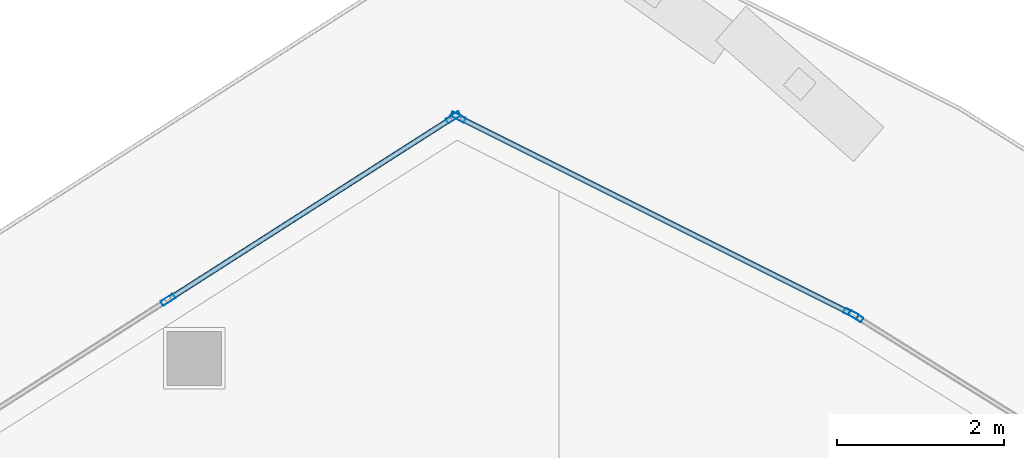
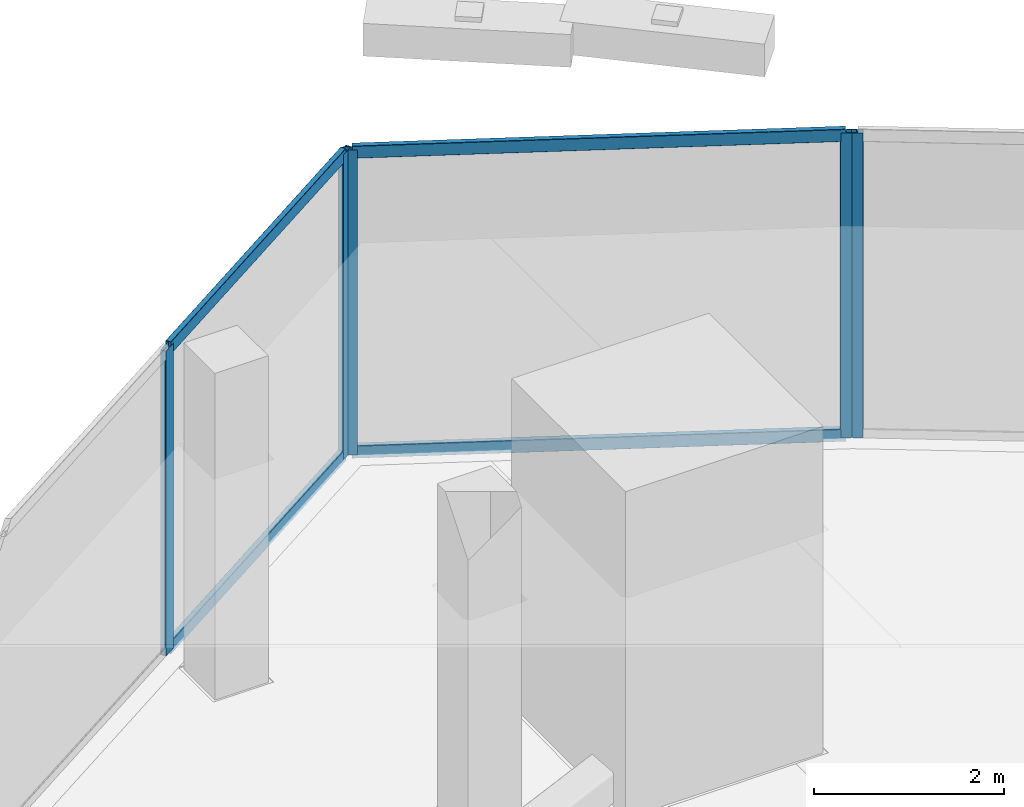
# One storey, part 26 of 45: 9 members, 3 elements without a shape of their own.
"""IFC4 building model written with IfcOpenShell, lengths in metres."""

from ifc_helpers import new_model, si_unit, direction, frame, origin, origin_2d, place, context, subcontext, project, spatial, hollow_rectangle, extrude, material, layer, layer_set, material_profile, profile_set, type_object, element, aggregate, save


model = new_model("IFC4")

# Units and contexts
model_context = context("Model", 3, precision=1e-05, world=origin(), true_north=direction((0.0, 1.0)))
body_context = subcontext(model_context, "Body", "Model", "MODEL_VIEW")
ifc_project = project(units=[si_unit("LENGTHUNIT", "METRE"), si_unit("AREAUNIT", "SQUARE_METRE"), si_unit("VOLUMEUNIT", "CUBIC_METRE"), si_unit("PLANEANGLEUNIT", "RADIAN"), si_unit("MASSUNIT", "GRAM", prefix="KILO")], contexts=[model_context])

# Site, building, storey
site_placement = place(None, origin())
site = spatial("IfcSite", under=ifc_project, at=site_placement, CompositionType="ELEMENT")
building_placement = place(site_placement, origin())
building = spatial("IfcBuilding", under=site, at=building_placement, Name="Qorvath Tower", CompositionType="ELEMENT")
storey_placement = place(building_placement, frame((0.0, 0.0, 49.199951171875)))
storey = spatial("IfcBuildingStorey", under=building, at=storey_placement, Name="L10", CompositionType="ELEMENT", Elevation=49.199951171875)

# Curtain wall, member
ifc_material_1 = material(Name="Anodised aluminium and triple low-E glass", Category="aluminium")
ifc_layer = layer(ifc_material_1, 0.179931640625)
ifc_layer_set = layer_set([ifc_layer], Name="CW-SYS-2")
curtain_wall_type = type_object("IfcCurtainWallType", Name="CW-SYS-2", PredefinedType="NOTDEFINED", material=ifc_layer_set)
curtain_wall_1_placement = place(storey_placement, origin())
curtain_wall_1 = element("IfcCurtainWall", 1, at=curtain_wall_1_placement, inside=storey, type_object=curtain_wall_type, Name="Curtain Wall CW-2 CW-T-L10-14.1", PredefinedType="NOTDEFINED")
ifc_material_2 = material(Name="Anodised aluminium 6063-T6", Category="aluminium")
ifc_material_profile_1 = material_profile(ifc_material_2, hollow_rectangle(XDim=0.06494140625, YDim=0.179931640625, WallThickness=0.00341796875, InnerFilletRadius=0.00341796875, OuterFilletRadius=0.007080078125, at=origin_2d()), Name="CWM 180x65")
ifc_profile_set_1 = profile_set([ifc_material_profile_1], Name="Anodised aluminium 6063-T6")
member_type_1 = type_object("IfcMemberType", Name="CWM-180", PredefinedType="MULLION", material=ifc_profile_set_1)
member_1_placement = place(storey_placement, frame((-10.06396484375, 31.00439453125, 0.0), z_axis=(0.0, 0.0, 1.0), x_axis=(-0.529724040691, -0.848170054125, 0.0)))
member_1 = element("IfcMember", 2, at=member_1_placement, type_object=member_type_1, Name="CW-2 mullion 3", PredefinedType="MULLION", context=body_context, shape_type="SweptSolid", body=[
    extrude(hollow_rectangle(XDim=0.06494140625, YDim=0.179931640625, WallThickness=0.00341796875, InnerFilletRadius=0.00341796875, OuterFilletRadius=0.007080078125, at=origin_2d()), origin(), (0.0, 0.0, 1.0), 3.920166015625),
])
aggregate(curtain_wall_1, [member_1])

# Curtain wall, members
curtain_wall_2_placement = place(storey_placement, origin())
curtain_wall_2 = element("IfcCurtainWall", 3, at=curtain_wall_2_placement, inside=storey, type_object=curtain_wall_type, Name="Curtain Wall CW-2 CW-T-L10-15.1", PredefinedType="NOTDEFINED")
member_2_placement = place(storey_placement, frame((-10.12060546875, 31.0361328125, 0.0), z_axis=(0.0, 0.0, 1.0), x_axis=(-0.447258573792, -0.89440470044, 0.0)))
member_2 = element("IfcMember", 4, at=member_2_placement, type_object=member_type_1, Name="CW-2 mullion 1", PredefinedType="MULLION", context=body_context, shape_type="SweptSolid", body=[
    extrude(hollow_rectangle(XDim=0.06494140625, YDim=0.179931640625, WallThickness=0.00341796875, InnerFilletRadius=0.00341796875, OuterFilletRadius=0.007080078125, at=origin_2d()), origin(), (0.0, 0.0, 1.0), 3.920166015625),
])
member_3_placement = place(storey_placement, frame((-14.8349609375, 33.3935546875, 0.0), z_axis=(0.0, 0.0, 1.0), x_axis=(-0.447258573792, -0.89440470044, 0.0)))
member_3 = element("IfcMember", 5, at=member_3_placement, type_object=member_type_1, Name="CW-2 mullion 2", PredefinedType="MULLION", context=body_context, shape_type="SweptSolid", body=[
    extrude(hollow_rectangle(XDim=0.06494140625, YDim=0.179931640625, WallThickness=0.00341796875, InnerFilletRadius=0.00341796875, OuterFilletRadius=0.007080078125, at=origin_2d()), origin(), (0.0, 0.0, 1.0), 3.920166015625),
])

curtain_wall_3_placement = place(storey_placement, origin())
curtain_wall_3 = element("IfcCurtainWall", 6, at=curtain_wall_3_placement, inside=storey, type_object=curtain_wall_type, Name="Curtain Wall CW-2 CW-T-L10-16.1", PredefinedType="NOTDEFINED")
member_4_placement = place(storey_placement, frame((-14.891357421875, 33.390380859375, 0.0), z_axis=(0.0, 0.0, 1.0), x_axis=(0.538532896531, -0.842604485719, 0.0)))
member_4 = element("IfcMember", 7, at=member_4_placement, type_object=member_type_1, Name="CW-2 mullion 1", PredefinedType="MULLION", context=body_context, shape_type="SweptSolid", body=[
    extrude(hollow_rectangle(XDim=0.06494140625, YDim=0.179931640625, WallThickness=0.00341796875, InnerFilletRadius=0.00341796875, OuterFilletRadius=0.007080078125, at=origin_2d()), origin(), (0.0, 0.0, 1.0), 3.920166015625),
])
member_5_placement = place(storey_placement, frame((-18.3125, 31.203857421875, 0.0), z_axis=(0.0, 0.0, 1.0), x_axis=(0.538532896531, -0.842604485719, 0.0)))
member_5 = element("IfcMember", 8, at=member_5_placement, type_object=member_type_1, Name="CW-2 mullion 2", PredefinedType="MULLION", context=body_context, shape_type="SweptSolid", body=[
    extrude(hollow_rectangle(XDim=0.06494140625, YDim=0.179931640625, WallThickness=0.00341796875, InnerFilletRadius=0.00341796875, OuterFilletRadius=0.007080078125, at=origin_2d()), origin(), (0.0, 0.0, 1.0), 3.920166015625),
])

# Member
ifc_material_3 = material(Name="Anodised aluminium 6063-T6", Category="aluminium")
ifc_material_profile_2 = material_profile(ifc_material_3, hollow_rectangle(XDim=0.06494140625, YDim=0.159912109375, WallThickness=0.00341796875, InnerFilletRadius=0.00341796875, OuterFilletRadius=0.007080078125, at=origin_2d()), Name="CWT 160x65")
ifc_profile_set_2 = profile_set([ifc_material_profile_2], Name="Anodised aluminium 6063-T6")
member_type_2 = type_object("IfcMemberType", Name="CWT-160", PredefinedType="USERDEFINED", material=ifc_profile_set_2)
member_6_placement = place(storey_placement, frame((-10.149658203125, 31.050537109375, 0.032470703125), z_axis=(-0.894408431647, 0.447251112239, 0.0), x_axis=(-0.447251112239, -0.894408431647, 0.0)))
member_6 = element("IfcMember", 9, at=member_6_placement, type_object=member_type_2, Name="CW-2 transom 1.1", ObjectType="TRANSOM", PredefinedType="USERDEFINED", context=body_context, shape_type="SweptSolid", body=[
    extrude(hollow_rectangle(XDim=0.06494140625, YDim=0.159912109375, WallThickness=0.00341796875, InnerFilletRadius=0.00341796875, OuterFilletRadius=0.007080078125, at=origin_2d()), origin(), (0.0, 0.0, 1.0), 5.2060546875),
])

member_7_placement = place(storey_placement, frame((-10.149658203125, 31.050537109375, 3.8876953125), z_axis=(-0.894408431647, 0.447251112239, 0.0), x_axis=(-0.447251112239, -0.894408431647, 0.0)))
member_7 = element("IfcMember", 10, at=member_7_placement, type_object=member_type_2, Name="CW-2 transom 1.2", ObjectType="TRANSOM", PredefinedType="USERDEFINED", context=body_context, shape_type="SweptSolid", body=[
    extrude(hollow_rectangle(XDim=0.06494140625, YDim=0.159912109375, WallThickness=0.00341796875, InnerFilletRadius=0.00341796875, OuterFilletRadius=0.007080078125, at=origin_2d()), origin(), (0.0, 0.0, 1.0), 5.2060546875),
])

aggregate(curtain_wall_2, [member_2, member_3, member_6, member_7])

member_8_placement = place(storey_placement, frame((-14.918701171875, 33.373046875, 0.032470703125), z_axis=(-0.842603063351, -0.538535122004, 0.0), x_axis=(0.538535122004, -0.842603063351, 0.0)))
member_8 = element("IfcMember", 11, at=member_8_placement, type_object=member_type_2, Name="CW-2 transom 1.1", ObjectType="TRANSOM", PredefinedType="USERDEFINED", context=body_context, shape_type="SweptSolid", body=[
    extrude(hollow_rectangle(XDim=0.06494140625, YDim=0.159912109375, WallThickness=0.00341796875, InnerFilletRadius=0.00341796875, OuterFilletRadius=0.007080078125, at=origin_2d()), origin(), (0.0, 0.0, 1.0), 3.995361328125),
])

member_9_placement = place(storey_placement, frame((-14.918701171875, 33.373046875, 3.8876953125), z_axis=(-0.842603063351, -0.538535122004, 0.0), x_axis=(0.538535122004, -0.842603063351, 0.0)))
member_9 = element("IfcMember", 12, at=member_9_placement, type_object=member_type_2, Name="CW-2 transom 1.2", ObjectType="TRANSOM", PredefinedType="USERDEFINED", context=body_context, shape_type="SweptSolid", body=[
    extrude(hollow_rectangle(XDim=0.06494140625, YDim=0.159912109375, WallThickness=0.00341796875, InnerFilletRadius=0.00341796875, OuterFilletRadius=0.007080078125, at=origin_2d()), origin(), (0.0, 0.0, 1.0), 3.995361328125),
])

aggregate(curtain_wall_3, [member_4, member_5, member_8, member_9])

save(model, "model.ifc")
